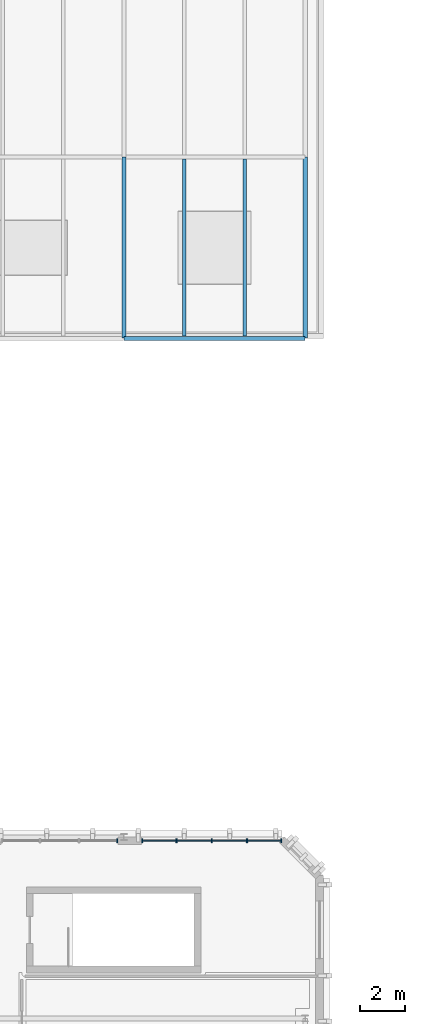
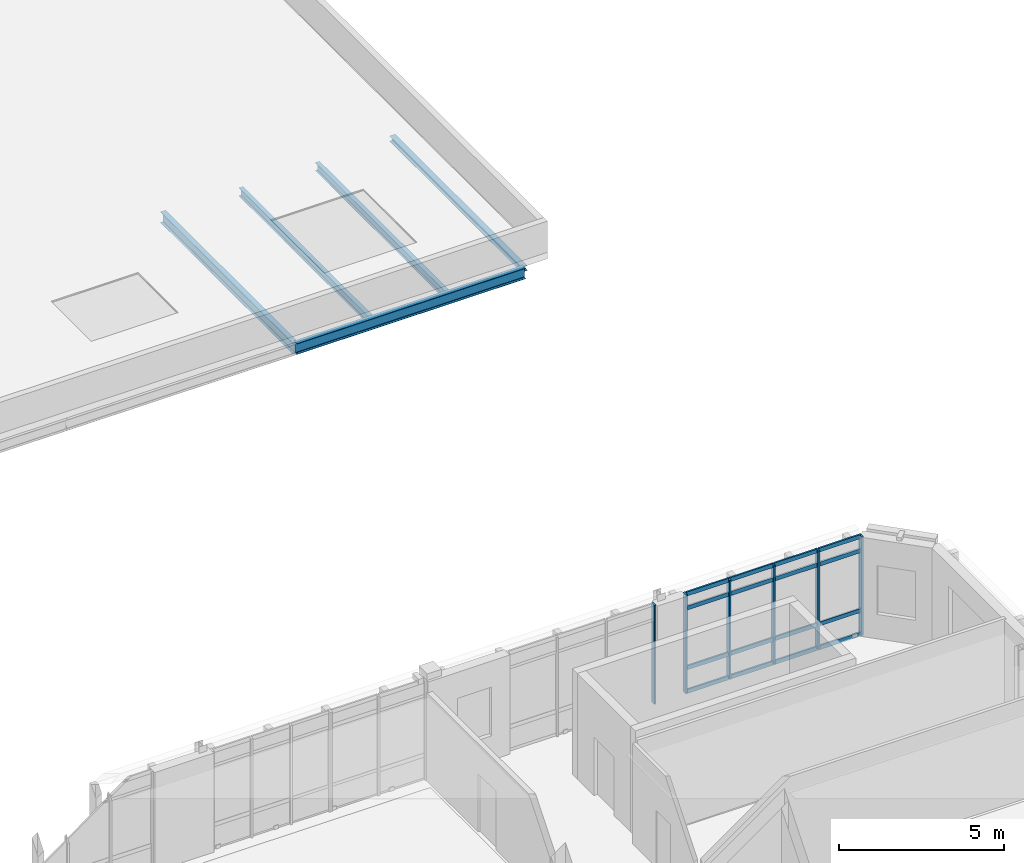
# One storey, part 8 of 28: 22 members, 5 beams, 2 elements without a shape of their own.
"""IFC4 building model written with IfcOpenShell, lengths in metres."""

from ifc_helpers import new_model, si_unit, direction, frame, origin, origin_2d, place, context, subcontext, project, spatial, rectangle, i_section, extrude, material, material_profile, profile_set, type_object, element, aggregate, save


model = new_model("IFC4")

# Units and contexts
model_context = context("Model", 3, precision=1e-05, world=origin(), true_north=direction((0.0, 1.0)))
body_context = subcontext(model_context, "Body", "Model", "MODEL_VIEW")
ifc_project = project(units=[si_unit("LENGTHUNIT", "METRE"), si_unit("AREAUNIT", "SQUARE_METRE"), si_unit("VOLUMEUNIT", "CUBIC_METRE"), si_unit("PLANEANGLEUNIT", "RADIAN"), si_unit("MASSUNIT", "GRAM", prefix="KILO")], contexts=[model_context])

# Site, building, storey
site_placement = place(None, origin())
site = spatial("IfcSite", under=ifc_project, at=site_placement, CompositionType="ELEMENT")
building_placement = place(site_placement, origin())
building = spatial("IfcBuilding", under=site, at=building_placement, Name="Cymarion Research Institute", CompositionType="ELEMENT")
storey_placement = place(building_placement, frame((0.0, 0.0, 30.60009765625)))
storey = spatial("IfcBuildingStorey", under=building, at=storey_placement, Name="L07", CompositionType="ELEMENT", Elevation=30.60009765625)

# Curtain wall, members
ifc_material_1 = material(Name="Anodised aluminium unitised curtain wall with Low-E glazing", Category="aluminium")
curtain_wall_type_1 = type_object("IfcCurtainWallType", Name="UNITISED CURTAIN WALL CW70 6200X3660", PredefinedType="NOTDEFINED", material=ifc_material_1)
curtain_wall_1_placement = place(storey_placement, origin())
curtain_wall_1 = element("IfcCurtainWall", 1, at=curtain_wall_1_placement, inside=storey, type_object=curtain_wall_type_1, Name="L07 V4 unitised curtain wall CW70 #235", PredefinedType="NOTDEFINED")
ifc_material_2 = material(Name="Anodised aluminium framing", Category="aluminium")
ifc_material_profile_1 = material_profile(ifc_material_2, rectangle(XDim=0.06005859375, YDim=0.179931640625, at=origin_2d()), Name="ALU MULLION 60x180")
ifc_profile_set_1 = profile_set([ifc_material_profile_1], Name="Anodised aluminium framing")
member_type_1 = type_object("IfcMemberType", Name="CURTAIN WALL MULLION ML01 60X180", PredefinedType="MULLION", material=ifc_profile_set_1)
member_1_placement = place(storey_placement, frame((45.547119140625, 71.330078125, 0.0), z_axis=(0.0, 0.0, 1.0), x_axis=(-1.0, 0.0, 0.0)))
member_1 = element("IfcMember", 2, at=member_1_placement, type_object=member_type_1, Name="CW70 mullion 1", PredefinedType="MULLION", context=body_context, shape_type="SweptSolid", body=[
    extrude(rectangle(XDim=0.06005859375, YDim=0.179931640625, at=origin_2d()), origin(), (0.0, 0.0, 1.0), 3.659912109375),
])
member_2_placement = place(storey_placement, frame((44.0283203125, 71.330078125, 0.0), z_axis=(0.0, 0.0, 1.0), x_axis=(-1.0, 0.0, 0.0)))
member_2 = element("IfcMember", 3, at=member_2_placement, type_object=member_type_1, Name="CW70 mullion 2", PredefinedType="MULLION", context=body_context, shape_type="SweptSolid", body=[
    extrude(rectangle(XDim=0.06005859375, YDim=0.179931640625, at=origin_2d()), origin(), (0.0, 0.0, 1.0), 3.659912109375),
])
member_3_placement = place(storey_placement, frame((42.4794921875, 71.330078125, 0.0), z_axis=(0.0, 0.0, 1.0), x_axis=(-1.0, 0.0, 0.0)))
member_3 = element("IfcMember", 4, at=member_3_placement, type_object=member_type_1, Name="CW70 mullion 3", PredefinedType="MULLION", context=body_context, shape_type="SweptSolid", body=[
    extrude(rectangle(XDim=0.06005859375, YDim=0.179931640625, at=origin_2d()), origin(), (0.0, 0.0, 1.0), 3.659912109375),
])
member_4_placement = place(storey_placement, frame((40.9306640625, 71.330078125, 0.0), z_axis=(0.0, 0.0, 1.0), x_axis=(-1.0, 0.0, 0.0)))
member_4 = element("IfcMember", 5, at=member_4_placement, type_object=member_type_1, Name="CW70 mullion 4", PredefinedType="MULLION", context=body_context, shape_type="SweptSolid", body=[
    extrude(rectangle(XDim=0.06005859375, YDim=0.179931640625, at=origin_2d()), origin(), (0.0, 0.0, 1.0), 3.659912109375),
])
member_5_placement = place(storey_placement, frame((39.41162109375, 71.330078125, 0.0), z_axis=(0.0, 0.0, 1.0), x_axis=(-1.0, 0.0, 0.0)))
member_5 = element("IfcMember", 6, at=member_5_placement, type_object=member_type_1, Name="CW70 mullion 5", PredefinedType="MULLION", context=body_context, shape_type="SweptSolid", body=[
    extrude(rectangle(XDim=0.06005859375, YDim=0.179931640625, at=origin_2d()), origin(), (0.0, 0.0, 1.0), 3.659912109375),
])

# Curtain wall, member
curtain_wall_type_2 = type_object("IfcCurtainWallType", Name="UNITISED CURTAIN WALL CW71 5150X3660", PredefinedType="NOTDEFINED", material=ifc_material_1)
curtain_wall_2_placement = place(storey_placement, origin())
curtain_wall_2 = element("IfcCurtainWall", 7, at=curtain_wall_2_placement, inside=storey, type_object=curtain_wall_type_2, Name="L07 V4 unitised curtain wall CW71 #236", PredefinedType="NOTDEFINED")
member_6_placement = place(storey_placement, frame((38.31005859375, 71.330078125, 0.0), z_axis=(0.0, 0.0, 1.0), x_axis=(-1.0, 0.0, 0.0)))
member_6 = element("IfcMember", 8, at=member_6_placement, type_object=member_type_1, Name="CW71 mullion 1", PredefinedType="MULLION", context=body_context, shape_type="SweptSolid", body=[
    extrude(rectangle(XDim=0.06005859375, YDim=0.179931640625, at=origin_2d()), origin(), (0.0, 0.0, 1.0), 3.659912109375),
])
aggregate(curtain_wall_2, [member_6])

# Member
ifc_material_profile_2 = material_profile(ifc_material_2, rectangle(XDim=0.06005859375, YDim=0.14990234375, at=origin_2d()), Name="ALU TRANSOM 60x150")
ifc_profile_set_2 = profile_set([ifc_material_profile_2], Name="Anodised aluminium framing")
member_type_2 = type_object("IfcMemberType", Name="CURTAIN WALL TRANSOM TR01 60X150", PredefinedType="USERDEFINED", material=ifc_profile_set_2)
member_7_placement = place(storey_placement, frame((45.51708984375, 71.330078125, 0.02978515625), z_axis=(-1.0, 0.0, 0.0), x_axis=(0.0, -1.0, 0.0)))
member_7 = element("IfcMember", 9, at=member_7_placement, type_object=member_type_2, Name="CW70 transom 1.1", ObjectType="TRANSOM", PredefinedType="USERDEFINED", context=body_context, shape_type="SweptSolid", body=[
    extrude(rectangle(XDim=0.06005859375, YDim=0.14990234375, at=origin_2d()), origin(), (0.0, 0.0, 1.0), 1.458740234375),
])

member_8_placement = place(storey_placement, frame((45.51708984375, 71.330078125, 0.89990234375), z_axis=(-1.0, 0.0, 0.0), x_axis=(0.0, -1.0, 0.0)))
member_8 = element("IfcMember", 10, at=member_8_placement, type_object=member_type_2, Name="CW70 transom 1.2", ObjectType="TRANSOM", PredefinedType="USERDEFINED", context=body_context, shape_type="SweptSolid", body=[
    extrude(rectangle(XDim=0.06005859375, YDim=0.14990234375, at=origin_2d()), origin(), (0.0, 0.0, 1.0), 1.458740234375),
])

member_9_placement = place(storey_placement, frame((45.51708984375, 71.330078125, 3.10986328125), z_axis=(-1.0, 0.0, 0.0), x_axis=(0.0, -1.0, 0.0)))
member_9 = element("IfcMember", 11, at=member_9_placement, type_object=member_type_2, Name="CW70 transom 1.3", ObjectType="TRANSOM", PredefinedType="USERDEFINED", context=body_context, shape_type="SweptSolid", body=[
    extrude(rectangle(XDim=0.06005859375, YDim=0.14990234375, at=origin_2d()), origin(), (0.0, 0.0, 1.0), 1.458740234375),
])

member_10_placement = place(storey_placement, frame((45.51708984375, 71.330078125, 3.6298828125), z_axis=(-1.0, 0.0, 0.0), x_axis=(0.0, -1.0, 0.0)))
member_10 = element("IfcMember", 12, at=member_10_placement, type_object=member_type_2, Name="CW70 transom 1.4", ObjectType="TRANSOM", PredefinedType="USERDEFINED", context=body_context, shape_type="SweptSolid", body=[
    extrude(rectangle(XDim=0.06005859375, YDim=0.14990234375, at=origin_2d()), origin(), (0.0, 0.0, 1.0), 1.458740234375),
])

member_11_placement = place(storey_placement, frame((43.998291015625, 71.330078125, 0.02978515625), z_axis=(-1.0, 0.0, 0.0), x_axis=(0.0, -1.0, 0.0)))
member_11 = element("IfcMember", 13, at=member_11_placement, type_object=member_type_2, Name="CW70 transom 2.1", ObjectType="TRANSOM", PredefinedType="USERDEFINED", context=body_context, shape_type="SweptSolid", body=[
    extrude(rectangle(XDim=0.06005859375, YDim=0.14990234375, at=origin_2d()), origin(), (0.0, 0.0, 1.0), 1.48876953125),
])

member_12_placement = place(storey_placement, frame((43.998291015625, 71.330078125, 0.89990234375), z_axis=(-1.0, 0.0, 0.0), x_axis=(0.0, -1.0, 0.0)))
member_12 = element("IfcMember", 14, at=member_12_placement, type_object=member_type_2, Name="CW70 transom 2.2", ObjectType="TRANSOM", PredefinedType="USERDEFINED", context=body_context, shape_type="SweptSolid", body=[
    extrude(rectangle(XDim=0.06005859375, YDim=0.14990234375, at=origin_2d()), origin(), (0.0, 0.0, 1.0), 1.48876953125),
])

member_13_placement = place(storey_placement, frame((43.998291015625, 71.330078125, 3.10986328125), z_axis=(-1.0, 0.0, 0.0), x_axis=(0.0, -1.0, 0.0)))
member_13 = element("IfcMember", 15, at=member_13_placement, type_object=member_type_2, Name="CW70 transom 2.3", ObjectType="TRANSOM", PredefinedType="USERDEFINED", context=body_context, shape_type="SweptSolid", body=[
    extrude(rectangle(XDim=0.06005859375, YDim=0.14990234375, at=origin_2d()), origin(), (0.0, 0.0, 1.0), 1.48876953125),
])

member_14_placement = place(storey_placement, frame((43.998291015625, 71.330078125, 3.6298828125), z_axis=(-1.0, 0.0, 0.0), x_axis=(0.0, -1.0, 0.0)))
member_14 = element("IfcMember", 16, at=member_14_placement, type_object=member_type_2, Name="CW70 transom 2.4", ObjectType="TRANSOM", PredefinedType="USERDEFINED", context=body_context, shape_type="SweptSolid", body=[
    extrude(rectangle(XDim=0.06005859375, YDim=0.14990234375, at=origin_2d()), origin(), (0.0, 0.0, 1.0), 1.48876953125),
])

member_15_placement = place(storey_placement, frame((42.449462890625, 71.330078125, 0.02978515625), z_axis=(-1.0, 0.0, 0.0), x_axis=(0.0, -1.0, 0.0)))
member_15 = element("IfcMember", 17, at=member_15_placement, type_object=member_type_2, Name="CW70 transom 3.1", ObjectType="TRANSOM", PredefinedType="USERDEFINED", context=body_context, shape_type="SweptSolid", body=[
    extrude(rectangle(XDim=0.06005859375, YDim=0.14990234375, at=origin_2d()), origin(), (0.0, 0.0, 1.0), 1.48876953125),
])

member_16_placement = place(storey_placement, frame((42.449462890625, 71.330078125, 0.89990234375), z_axis=(-1.0, 0.0, 0.0), x_axis=(0.0, -1.0, 0.0)))
member_16 = element("IfcMember", 18, at=member_16_placement, type_object=member_type_2, Name="CW70 transom 3.2", ObjectType="TRANSOM", PredefinedType="USERDEFINED", context=body_context, shape_type="SweptSolid", body=[
    extrude(rectangle(XDim=0.06005859375, YDim=0.14990234375, at=origin_2d()), origin(), (0.0, 0.0, 1.0), 1.48876953125),
])

member_17_placement = place(storey_placement, frame((42.449462890625, 71.330078125, 3.10986328125), z_axis=(-1.0, 0.0, 0.0), x_axis=(0.0, -1.0, 0.0)))
member_17 = element("IfcMember", 19, at=member_17_placement, type_object=member_type_2, Name="CW70 transom 3.3", ObjectType="TRANSOM", PredefinedType="USERDEFINED", context=body_context, shape_type="SweptSolid", body=[
    extrude(rectangle(XDim=0.06005859375, YDim=0.14990234375, at=origin_2d()), origin(), (0.0, 0.0, 1.0), 1.48876953125),
])

member_18_placement = place(storey_placement, frame((42.449462890625, 71.330078125, 3.6298828125), z_axis=(-1.0, 0.0, 0.0), x_axis=(0.0, -1.0, 0.0)))
member_18 = element("IfcMember", 20, at=member_18_placement, type_object=member_type_2, Name="CW70 transom 3.4", ObjectType="TRANSOM", PredefinedType="USERDEFINED", context=body_context, shape_type="SweptSolid", body=[
    extrude(rectangle(XDim=0.06005859375, YDim=0.14990234375, at=origin_2d()), origin(), (0.0, 0.0, 1.0), 1.48876953125),
])

member_19_placement = place(storey_placement, frame((40.900634765625, 71.330078125, 0.02978515625), z_axis=(-1.0, 0.0, 0.0), x_axis=(0.0, -1.0, 0.0)))
member_19 = element("IfcMember", 21, at=member_19_placement, type_object=member_type_2, Name="CW70 transom 4.1", ObjectType="TRANSOM", PredefinedType="USERDEFINED", context=body_context, shape_type="SweptSolid", body=[
    extrude(rectangle(XDim=0.06005859375, YDim=0.14990234375, at=origin_2d()), origin(), (0.0, 0.0, 1.0), 1.458984375),
])

member_20_placement = place(storey_placement, frame((40.900634765625, 71.330078125, 0.89990234375), z_axis=(-1.0, 0.0, 0.0), x_axis=(0.0, -1.0, 0.0)))
member_20 = element("IfcMember", 22, at=member_20_placement, type_object=member_type_2, Name="CW70 transom 4.2", ObjectType="TRANSOM", PredefinedType="USERDEFINED", context=body_context, shape_type="SweptSolid", body=[
    extrude(rectangle(XDim=0.06005859375, YDim=0.14990234375, at=origin_2d()), origin(), (0.0, 0.0, 1.0), 1.458984375),
])

member_21_placement = place(storey_placement, frame((40.900634765625, 71.330078125, 3.10986328125), z_axis=(-1.0, 0.0, 0.0), x_axis=(0.0, -1.0, 0.0)))
member_21 = element("IfcMember", 23, at=member_21_placement, type_object=member_type_2, Name="CW70 transom 4.3", ObjectType="TRANSOM", PredefinedType="USERDEFINED", context=body_context, shape_type="SweptSolid", body=[
    extrude(rectangle(XDim=0.06005859375, YDim=0.14990234375, at=origin_2d()), origin(), (0.0, 0.0, 1.0), 1.458984375),
])

member_22_placement = place(storey_placement, frame((40.900634765625, 71.330078125, 3.6298828125), z_axis=(-1.0, 0.0, 0.0), x_axis=(0.0, -1.0, 0.0)))
member_22 = element("IfcMember", 24, at=member_22_placement, type_object=member_type_2, Name="CW70 transom 4.4", ObjectType="TRANSOM", PredefinedType="USERDEFINED", context=body_context, shape_type="SweptSolid", body=[
    extrude(rectangle(XDim=0.06005859375, YDim=0.14990234375, at=origin_2d()), origin(), (0.0, 0.0, 1.0), 1.458984375),
])

aggregate(curtain_wall_1, [member_1, member_2, member_3, member_4, member_5, member_7, member_8, member_9, member_10, member_11, member_12, member_13, member_14, member_15, member_16, member_17, member_18, member_19, member_20, member_21, member_22])

# Beams
ifc_material_3 = material(Name="Steel S355", Category="steel")
ifc_material_profile_3 = material_profile(ifc_material_3, i_section(OverallWidth=0.179931640625, OverallDepth=0.39990234375, WebThickness=0.008544921875, FlangeThickness=0.013427734375, FilletRadius=0.02099609375, at=origin_2d()), Name="IPE 400")
ifc_profile_set_3 = profile_set([ifc_material_profile_3], Name="Steel S355")
beam_type_1 = type_object("IfcBeamType", Name="PRIMARY GIRDER BM05 IPE 400", PredefinedType="BEAM", material=ifc_profile_set_3)
beam_1_placement = place(storey_placement, frame((38.60595703125, 93.5, -0.440185546875), z_axis=(1.0, 0.0, 0.0), x_axis=(0.0, 1.0, 0.0)))
element("IfcBeam", 25, at=beam_1_placement, inside=storey, type_object=beam_type_1, Name="L07 V5 girder BM05 #2265", PredefinedType="BEAM", context=body_context, shape_type="SweptSolid", body=[
    extrude(i_section(OverallWidth=0.179931640625, OverallDepth=0.39990234375, WebThickness=0.008544921875, FlangeThickness=0.013427734375, FilletRadius=0.02099609375, at=origin_2d()), origin(), (0.0, 0.0, 1.0), 7.988037109375),
])
beam_2_placement = place(storey_placement, frame((38.60009765625, 93.506103515625, -0.440185546875), z_axis=(0.0, 1.0, 0.0), x_axis=(-1.0, 0.0, 0.0)))
element("IfcBeam", 26, at=beam_2_placement, inside=storey, type_object=beam_type_1, Name="L07 V5 girder BM05 #2289", PredefinedType="BEAM", context=body_context, shape_type="SweptSolid", body=[
    extrude(i_section(OverallWidth=0.179931640625, OverallDepth=0.39990234375, WebThickness=0.008544921875, FlangeThickness=0.013427734375, FilletRadius=0.02099609375, at=origin_2d()), origin(), (0.0, 0.0, 1.0), 7.98779296875),
])
ifc_material_profile_4 = material_profile(ifc_material_3, i_section(OverallWidth=0.14990234375, OverallDepth=0.300048828125, WebThickness=0.007080078125, FlangeThickness=0.0107421875, FilletRadius=0.014892578125, at=origin_2d()), Name="IPE 300")
ifc_profile_set_4 = profile_set([ifc_material_profile_4], Name="Steel S355")
beam_type_2 = type_object("IfcBeamType", Name="SECONDARY JOIST JS02 IPE 300", PredefinedType="JOIST", material=ifc_profile_set_4)
for number, where, z_axis, x_axis, name in (
    (27, (41.2666015625, 93.593994140625, -0.39013671875), (0.0, 1.0, 0.0), (-1.0, 0.0, 0.0), "L07 V5 secondary joist JS02 #2298"),
    (28, (43.933349609375, 93.593994140625, -0.39013671875), (0.0, 1.0, 0.0), (-1.0, 0.0, 0.0), "L07 V5 secondary joist JS02 #2299"),
):
    element("IfcBeam", number, at=place(storey_placement, frame(where, z_axis=z_axis, x_axis=x_axis)), inside=storey, type_object=beam_type_2, Name=name, PredefinedType="JOIST", context=body_context, shape_type="SweptSolid", body=[
        extrude(i_section(OverallWidth=0.14990234375, OverallDepth=0.300048828125, WebThickness=0.007080078125, FlangeThickness=0.0107421875, FilletRadius=0.014892578125, at=origin_2d()), origin(), (0.0, 0.0, 1.0), 7.81201171875),
    ])
ifc_material_profile_5 = material_profile(ifc_material_3, i_section(OverallWidth=0.199951171875, OverallDepth=0.18994140625, WebThickness=0.006591796875, FlangeThickness=0.010009765625, FilletRadius=0.01806640625, at=origin_2d()), Name="HEA 200")
ifc_profile_set_5 = profile_set([ifc_material_profile_5], Name="Steel S355")
beam_type_3 = type_object("IfcBeamType", Name="SPANDREL BEAM SPB04 HEA 200", PredefinedType="SPANDREL", material=ifc_profile_set_5)
beam_3_placement = place(storey_placement, frame((46.60009765625, 93.506103515625, -0.335205078125), z_axis=(0.0, 1.0, 0.0), x_axis=(-1.0, 0.0, 0.0)))
element("IfcBeam", 29, at=beam_3_placement, inside=storey, type_object=beam_type_3, Name="L07 V5 girder SPB04 #2291", PredefinedType="SPANDREL", context=body_context, shape_type="SweptSolid", body=[
    extrude(i_section(OverallWidth=0.199951171875, OverallDepth=0.18994140625, WebThickness=0.006591796875, FlangeThickness=0.010009765625, FilletRadius=0.01806640625, at=origin_2d()), origin(), (0.0, 0.0, 1.0), 7.98779296875),
])

save(model, "model.ifc")
